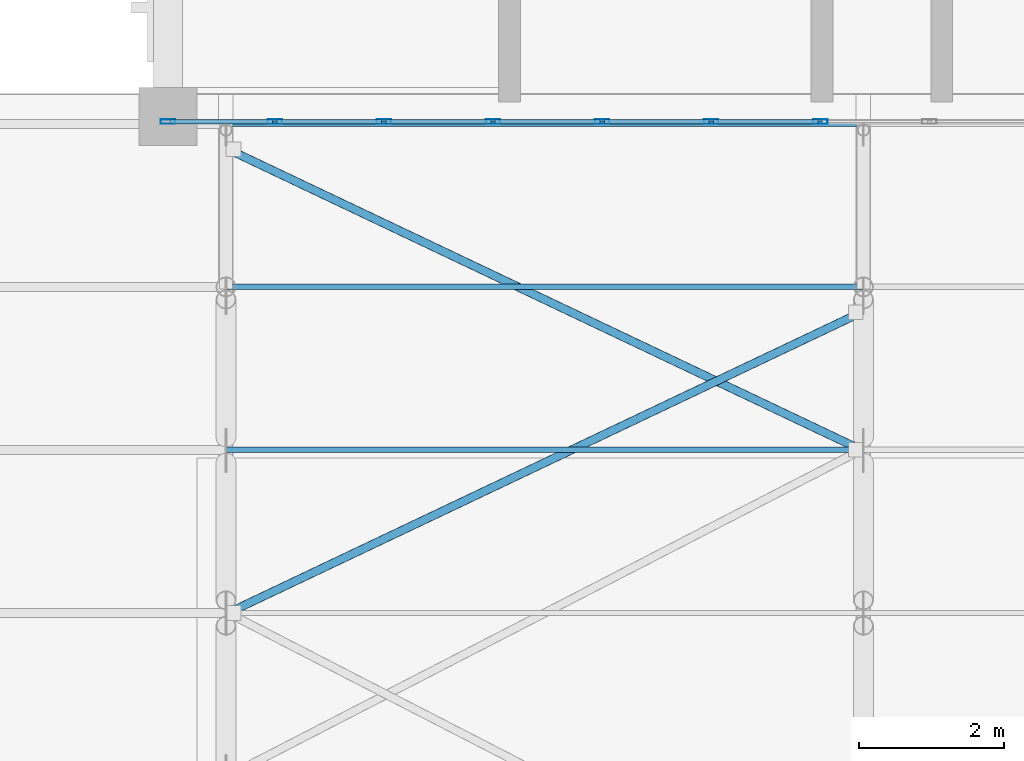
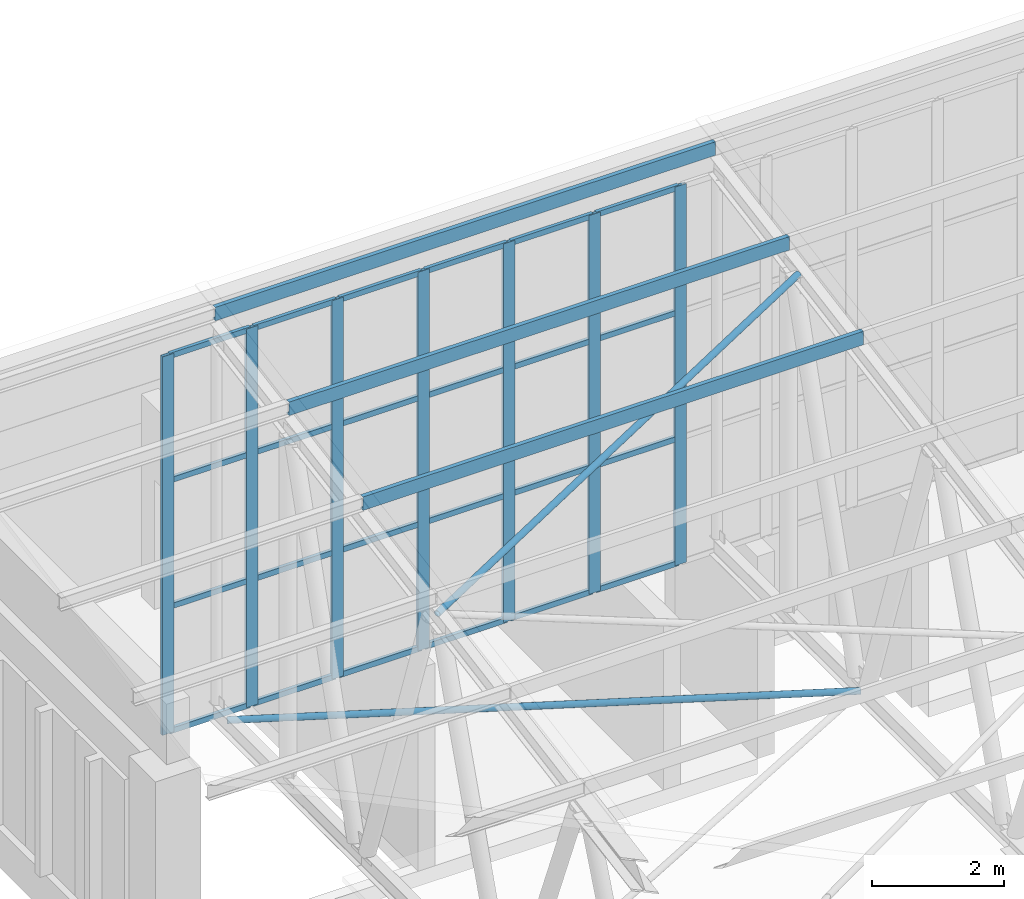
# One storey, part 51 of 185: 36 members, 1 element without a shape of its own.
"""IFC4 building model written with IfcOpenShell, lengths in metres."""

from ifc_helpers import new_model, si_unit, direction, frame, origin, origin_2d, place, context, subcontext, project, spatial, polyline, hollow_rectangle, hollow_circle, outline, extrude, material, layer, layer_set, material_profile, profile_set, type_object, element, aggregate, save


model = new_model("IFC4")

# Units and contexts
model_context = context("Model", 3, precision=1e-05, world=origin(), true_north=direction((0.0, 1.0)))
body_context = subcontext(model_context, "Body", "Model", "MODEL_VIEW")
ifc_project = project(units=[si_unit("LENGTHUNIT", "METRE"), si_unit("AREAUNIT", "SQUARE_METRE"), si_unit("VOLUMEUNIT", "CUBIC_METRE"), si_unit("PLANEANGLEUNIT", "RADIAN"), si_unit("MASSUNIT", "GRAM", prefix="KILO")], contexts=[model_context])

# Site, building, storey
site_placement = place(None, origin())
site = spatial("IfcSite", under=ifc_project, at=site_placement, CompositionType="ELEMENT")
building_placement = place(site_placement, origin())
building = spatial("IfcBuilding", under=site, at=building_placement, Name="Opaline Strait Convention Centre", CompositionType="ELEMENT")
storey_placement = place(building_placement, frame((0.0, 0.0, 6.0)))
storey = spatial("IfcBuildingStorey", under=building, at=storey_placement, Name="L01", CompositionType="ELEMENT", Elevation=6.0)

# Curtain wall, members
ifc_material_1 = material(Name="Aluminium 6063-T5", Category="aluminium")
ifc_layer = layer(ifc_material_1, 0.199951171875)
ifc_layer_set = layer_set([ifc_layer], Name="Aluminium 6063-T5")
curtain_wall_type = type_object("IfcCurtainWallType", Name="Unitised curtain wall 1640 module", PredefinedType="NOTDEFINED", material=ifc_layer_set)
curtain_wall_placement = place(storey_placement, origin())
curtain_wall = element("IfcCurtainWall", 1, at=curtain_wall_placement, inside=storey, type_object=curtain_wall_type, Name="Ballroom north clerestory curtain wall", PredefinedType="NOTDEFINED")
ifc_material_2 = material(Name="Aluminium alloy 6063", Category="aluminium")
ifc_material_profile_1 = material_profile(ifc_material_2, hollow_rectangle(XDim=0.06005859375, YDim=0.199951171875, WallThickness=0.00390625, at=origin_2d()), Name="MULLION 60x200x4")
ifc_profile_set_1 = profile_set([ifc_material_profile_1], Name="Aluminium alloy 6063")
member_type_1 = type_object("IfcMemberType", Name="Curtain wall mullion 60 x 200", PredefinedType="MULLION", material=ifc_profile_set_1)
member_1_placement = place(storey_placement, frame((288.0, 62.929931640625, 4.324951171875), z_axis=(0.0, 0.0, 1.0), x_axis=(0.0, 1.0, 0.0)))
member_1 = element("IfcMember", 2, at=member_1_placement, type_object=member_type_1, Name="BG2 mullion 1", PredefinedType="MULLION", context=body_context, shape_type="SweptSolid", body=[
    extrude(hollow_rectangle(XDim=0.06005859375, YDim=0.199951171875, WallThickness=0.00390625, at=origin_2d()), origin(), (0.0, 0.0, 1.0), 7.01513671875),
])
member_2_placement = place(storey_placement, frame((289.471435546875, 62.929931640625, 4.324951171875), z_axis=(0.0, 0.0, 1.0), x_axis=(0.0, 1.0, 0.0)))
member_2 = element("IfcMember", 3, at=member_2_placement, type_object=member_type_1, Name="BG2 mullion 2", PredefinedType="MULLION", context=body_context, shape_type="SweptSolid", body=[
    extrude(hollow_rectangle(XDim=0.06005859375, YDim=0.199951171875, WallThickness=0.00390625, at=origin_2d()), origin(), (0.0, 0.0, 1.0), 7.01513671875),
])
member_3_placement = place(storey_placement, frame((290.972900390625, 62.929931640625, 4.324951171875), z_axis=(0.0, 0.0, 1.0), x_axis=(0.0, 1.0, 0.0)))
member_3 = element("IfcMember", 4, at=member_3_placement, type_object=member_type_1, Name="BG2 mullion 3", PredefinedType="MULLION", context=body_context, shape_type="SweptSolid", body=[
    extrude(hollow_rectangle(XDim=0.06005859375, YDim=0.199951171875, WallThickness=0.00390625, at=origin_2d()), origin(), (0.0, 0.0, 1.0), 7.01513671875),
])
member_4_placement = place(storey_placement, frame((292.474365234375, 62.929931640625, 4.324951171875), z_axis=(0.0, 0.0, 1.0), x_axis=(0.0, 1.0, 0.0)))
member_4 = element("IfcMember", 5, at=member_4_placement, type_object=member_type_1, Name="BG2 mullion 4", PredefinedType="MULLION", context=body_context, shape_type="SweptSolid", body=[
    extrude(hollow_rectangle(XDim=0.06005859375, YDim=0.199951171875, WallThickness=0.00390625, at=origin_2d()), origin(), (0.0, 0.0, 1.0), 7.01513671875),
])
member_5_placement = place(storey_placement, frame((293.9755859375, 62.929931640625, 4.324951171875), z_axis=(0.0, 0.0, 1.0), x_axis=(0.0, 1.0, 0.0)))
member_5 = element("IfcMember", 6, at=member_5_placement, type_object=member_type_1, Name="BG2 mullion 5", PredefinedType="MULLION", context=body_context, shape_type="SweptSolid", body=[
    extrude(hollow_rectangle(XDim=0.06005859375, YDim=0.199951171875, WallThickness=0.00390625, at=origin_2d()), origin(), (0.0, 0.0, 1.0), 7.01513671875),
])
member_6_placement = place(storey_placement, frame((295.47705078125, 62.929931640625, 4.324951171875), z_axis=(0.0, 0.0, 1.0), x_axis=(0.0, 1.0, 0.0)))
member_6 = element("IfcMember", 7, at=member_6_placement, type_object=member_type_1, Name="BG2 mullion 6", PredefinedType="MULLION", context=body_context, shape_type="SweptSolid", body=[
    extrude(hollow_rectangle(XDim=0.06005859375, YDim=0.199951171875, WallThickness=0.00390625, at=origin_2d()), origin(), (0.0, 0.0, 1.0), 7.01513671875),
])
member_7_placement = place(storey_placement, frame((296.978515625, 62.929931640625, 4.324951171875), z_axis=(0.0, 0.0, 1.0), x_axis=(0.0, 1.0, 0.0)))
member_7 = element("IfcMember", 8, at=member_7_placement, type_object=member_type_1, Name="BG2 mullion 7", PredefinedType="MULLION", context=body_context, shape_type="SweptSolid", body=[
    extrude(hollow_rectangle(XDim=0.06005859375, YDim=0.199951171875, WallThickness=0.00390625, at=origin_2d()), origin(), (0.0, 0.0, 1.0), 7.01513671875),
])
ifc_material_profile_2 = material_profile(ifc_material_2, hollow_rectangle(XDim=0.06005859375, YDim=0.10009765625, WallThickness=0.0029296875, at=origin_2d()), Name="TRANSOM 60x100x3")
ifc_profile_set_2 = profile_set([ifc_material_profile_2], Name="Aluminium alloy 6063")
member_type_2 = type_object("IfcMemberType", Name="Curtain wall transom 60 x 100", PredefinedType="USERDEFINED", material=ifc_profile_set_2)
member_8_placement = place(storey_placement, frame((288.030029296875, 62.929931640625, 4.35498046875), z_axis=(1.0, 0.0, 0.0), x_axis=(0.0, 1.0, 0.0)))
member_8 = element("IfcMember", 9, at=member_8_placement, type_object=member_type_2, Name="BG2 transom 1.1", ObjectType="TRANSOM", PredefinedType="USERDEFINED", context=body_context, shape_type="SweptSolid", body=[
    extrude(hollow_rectangle(XDim=0.06005859375, YDim=0.10009765625, WallThickness=0.0029296875, at=origin_2d()), origin(), (0.0, 0.0, 1.0), 1.411376953125),
])
member_9_placement = place(storey_placement, frame((288.030029296875, 62.929931640625, 6.663330078125), z_axis=(1.0, 0.0, 0.0), x_axis=(0.0, 1.0, 0.0)))
member_9 = element("IfcMember", 10, at=member_9_placement, type_object=member_type_2, Name="BG2 transom 1.2", ObjectType="TRANSOM", PredefinedType="USERDEFINED", context=body_context, shape_type="SweptSolid", body=[
    extrude(hollow_rectangle(XDim=0.06005859375, YDim=0.10009765625, WallThickness=0.0029296875, at=origin_2d()), origin(), (0.0, 0.0, 1.0), 1.411376953125),
])
member_10_placement = place(storey_placement, frame((288.030029296875, 62.929931640625, 9.001708984375), z_axis=(1.0, 0.0, 0.0), x_axis=(0.0, 1.0, 0.0)))
member_10 = element("IfcMember", 11, at=member_10_placement, type_object=member_type_2, Name="BG2 transom 1.3", ObjectType="TRANSOM", PredefinedType="USERDEFINED", context=body_context, shape_type="SweptSolid", body=[
    extrude(hollow_rectangle(XDim=0.06005859375, YDim=0.10009765625, WallThickness=0.0029296875, at=origin_2d()), origin(), (0.0, 0.0, 1.0), 1.411376953125),
])
member_11_placement = place(storey_placement, frame((288.030029296875, 62.929931640625, 11.31005859375), z_axis=(1.0, 0.0, 0.0), x_axis=(0.0, 1.0, 0.0)))
member_11 = element("IfcMember", 12, at=member_11_placement, type_object=member_type_2, Name="BG2 transom 1.4", ObjectType="TRANSOM", PredefinedType="USERDEFINED", context=body_context, shape_type="SweptSolid", body=[
    extrude(hollow_rectangle(XDim=0.06005859375, YDim=0.10009765625, WallThickness=0.0029296875, at=origin_2d()), origin(), (0.0, 0.0, 1.0), 1.411376953125),
])
member_12_placement = place(storey_placement, frame((289.50146484375, 62.929931640625, 4.35498046875), z_axis=(1.0, 0.0, 0.0), x_axis=(0.0, 1.0, 0.0)))
member_12 = element("IfcMember", 13, at=member_12_placement, type_object=member_type_2, Name="BG2 transom 2.1", ObjectType="TRANSOM", PredefinedType="USERDEFINED", context=body_context, shape_type="SweptSolid", body=[
    extrude(hollow_rectangle(XDim=0.06005859375, YDim=0.10009765625, WallThickness=0.0029296875, at=origin_2d()), origin(), (0.0, 0.0, 1.0), 1.44140625),
])
member_13_placement = place(storey_placement, frame((289.50146484375, 62.929931640625, 6.663330078125), z_axis=(1.0, 0.0, 0.0), x_axis=(0.0, 1.0, 0.0)))
member_13 = element("IfcMember", 14, at=member_13_placement, type_object=member_type_2, Name="BG2 transom 2.2", ObjectType="TRANSOM", PredefinedType="USERDEFINED", context=body_context, shape_type="SweptSolid", body=[
    extrude(hollow_rectangle(XDim=0.06005859375, YDim=0.10009765625, WallThickness=0.0029296875, at=origin_2d()), origin(), (0.0, 0.0, 1.0), 1.44140625),
])
member_14_placement = place(storey_placement, frame((289.50146484375, 62.929931640625, 9.001708984375), z_axis=(1.0, 0.0, 0.0), x_axis=(0.0, 1.0, 0.0)))
member_14 = element("IfcMember", 15, at=member_14_placement, type_object=member_type_2, Name="BG2 transom 2.3", ObjectType="TRANSOM", PredefinedType="USERDEFINED", context=body_context, shape_type="SweptSolid", body=[
    extrude(hollow_rectangle(XDim=0.06005859375, YDim=0.10009765625, WallThickness=0.0029296875, at=origin_2d()), origin(), (0.0, 0.0, 1.0), 1.44140625),
])
member_15_placement = place(storey_placement, frame((289.50146484375, 62.929931640625, 11.31005859375), z_axis=(1.0, 0.0, 0.0), x_axis=(0.0, 1.0, 0.0)))
member_15 = element("IfcMember", 16, at=member_15_placement, type_object=member_type_2, Name="BG2 transom 2.4", ObjectType="TRANSOM", PredefinedType="USERDEFINED", context=body_context, shape_type="SweptSolid", body=[
    extrude(hollow_rectangle(XDim=0.06005859375, YDim=0.10009765625, WallThickness=0.0029296875, at=origin_2d()), origin(), (0.0, 0.0, 1.0), 1.44140625),
])
member_16_placement = place(storey_placement, frame((291.0029296875, 62.929931640625, 4.35498046875), z_axis=(1.0, 0.0, 0.0), x_axis=(0.0, 1.0, 0.0)))
member_16 = element("IfcMember", 17, at=member_16_placement, type_object=member_type_2, Name="BG2 transom 3.1", ObjectType="TRANSOM", PredefinedType="USERDEFINED", context=body_context, shape_type="SweptSolid", body=[
    extrude(hollow_rectangle(XDim=0.06005859375, YDim=0.10009765625, WallThickness=0.0029296875, at=origin_2d()), origin(), (0.0, 0.0, 1.0), 1.44140625),
])
member_17_placement = place(storey_placement, frame((291.0029296875, 62.929931640625, 6.663330078125), z_axis=(1.0, 0.0, 0.0), x_axis=(0.0, 1.0, 0.0)))
member_17 = element("IfcMember", 18, at=member_17_placement, type_object=member_type_2, Name="BG2 transom 3.2", ObjectType="TRANSOM", PredefinedType="USERDEFINED", context=body_context, shape_type="SweptSolid", body=[
    extrude(hollow_rectangle(XDim=0.06005859375, YDim=0.10009765625, WallThickness=0.0029296875, at=origin_2d()), origin(), (0.0, 0.0, 1.0), 1.44140625),
])
member_18_placement = place(storey_placement, frame((291.0029296875, 62.929931640625, 9.001708984375), z_axis=(1.0, 0.0, 0.0), x_axis=(0.0, 1.0, 0.0)))
member_18 = element("IfcMember", 19, at=member_18_placement, type_object=member_type_2, Name="BG2 transom 3.3", ObjectType="TRANSOM", PredefinedType="USERDEFINED", context=body_context, shape_type="SweptSolid", body=[
    extrude(hollow_rectangle(XDim=0.06005859375, YDim=0.10009765625, WallThickness=0.0029296875, at=origin_2d()), origin(), (0.0, 0.0, 1.0), 1.44140625),
])
member_19_placement = place(storey_placement, frame((291.0029296875, 62.929931640625, 11.31005859375), z_axis=(1.0, 0.0, 0.0), x_axis=(0.0, 1.0, 0.0)))
member_19 = element("IfcMember", 20, at=member_19_placement, type_object=member_type_2, Name="BG2 transom 3.4", ObjectType="TRANSOM", PredefinedType="USERDEFINED", context=body_context, shape_type="SweptSolid", body=[
    extrude(hollow_rectangle(XDim=0.06005859375, YDim=0.10009765625, WallThickness=0.0029296875, at=origin_2d()), origin(), (0.0, 0.0, 1.0), 1.44140625),
])
member_20_placement = place(storey_placement, frame((292.504150390625, 62.929931640625, 4.35498046875), z_axis=(1.0, 0.0, 0.0), x_axis=(0.0, 1.0, 0.0)))
member_20 = element("IfcMember", 21, at=member_20_placement, type_object=member_type_2, Name="BG2 transom 4.1", ObjectType="TRANSOM", PredefinedType="USERDEFINED", context=body_context, shape_type="SweptSolid", body=[
    extrude(hollow_rectangle(XDim=0.06005859375, YDim=0.10009765625, WallThickness=0.0029296875, at=origin_2d()), origin(), (0.0, 0.0, 1.0), 1.441650390625),
])
member_21_placement = place(storey_placement, frame((292.504150390625, 62.929931640625, 6.663330078125), z_axis=(1.0, 0.0, 0.0), x_axis=(0.0, 1.0, 0.0)))
member_21 = element("IfcMember", 22, at=member_21_placement, type_object=member_type_2, Name="BG2 transom 4.2", ObjectType="TRANSOM", PredefinedType="USERDEFINED", context=body_context, shape_type="SweptSolid", body=[
    extrude(hollow_rectangle(XDim=0.06005859375, YDim=0.10009765625, WallThickness=0.0029296875, at=origin_2d()), origin(), (0.0, 0.0, 1.0), 1.441650390625),
])
member_22_placement = place(storey_placement, frame((292.504150390625, 62.929931640625, 9.001708984375), z_axis=(1.0, 0.0, 0.0), x_axis=(0.0, 1.0, 0.0)))
member_22 = element("IfcMember", 23, at=member_22_placement, type_object=member_type_2, Name="BG2 transom 4.3", ObjectType="TRANSOM", PredefinedType="USERDEFINED", context=body_context, shape_type="SweptSolid", body=[
    extrude(hollow_rectangle(XDim=0.06005859375, YDim=0.10009765625, WallThickness=0.0029296875, at=origin_2d()), origin(), (0.0, 0.0, 1.0), 1.441650390625),
])
member_23_placement = place(storey_placement, frame((292.504150390625, 62.929931640625, 11.31005859375), z_axis=(1.0, 0.0, 0.0), x_axis=(0.0, 1.0, 0.0)))
member_23 = element("IfcMember", 24, at=member_23_placement, type_object=member_type_2, Name="BG2 transom 4.4", ObjectType="TRANSOM", PredefinedType="USERDEFINED", context=body_context, shape_type="SweptSolid", body=[
    extrude(hollow_rectangle(XDim=0.06005859375, YDim=0.10009765625, WallThickness=0.0029296875, at=origin_2d()), origin(), (0.0, 0.0, 1.0), 1.441650390625),
])
member_24_placement = place(storey_placement, frame((294.005615234375, 62.929931640625, 4.35498046875), z_axis=(1.0, 0.0, 0.0), x_axis=(0.0, 1.0, 0.0)))
member_24 = element("IfcMember", 25, at=member_24_placement, type_object=member_type_2, Name="BG2 transom 5.1", ObjectType="TRANSOM", PredefinedType="USERDEFINED", context=body_context, shape_type="SweptSolid", body=[
    extrude(hollow_rectangle(XDim=0.06005859375, YDim=0.10009765625, WallThickness=0.0029296875, at=origin_2d()), origin(), (0.0, 0.0, 1.0), 1.44140625),
])
member_25_placement = place(storey_placement, frame((294.005615234375, 62.929931640625, 6.663330078125), z_axis=(1.0, 0.0, 0.0), x_axis=(0.0, 1.0, 0.0)))
member_25 = element("IfcMember", 26, at=member_25_placement, type_object=member_type_2, Name="BG2 transom 5.2", ObjectType="TRANSOM", PredefinedType="USERDEFINED", context=body_context, shape_type="SweptSolid", body=[
    extrude(hollow_rectangle(XDim=0.06005859375, YDim=0.10009765625, WallThickness=0.0029296875, at=origin_2d()), origin(), (0.0, 0.0, 1.0), 1.44140625),
])
member_26_placement = place(storey_placement, frame((294.005615234375, 62.929931640625, 9.001708984375), z_axis=(1.0, 0.0, 0.0), x_axis=(0.0, 1.0, 0.0)))
member_26 = element("IfcMember", 27, at=member_26_placement, type_object=member_type_2, Name="BG2 transom 5.3", ObjectType="TRANSOM", PredefinedType="USERDEFINED", context=body_context, shape_type="SweptSolid", body=[
    extrude(hollow_rectangle(XDim=0.06005859375, YDim=0.10009765625, WallThickness=0.0029296875, at=origin_2d()), origin(), (0.0, 0.0, 1.0), 1.44140625),
])
member_27_placement = place(storey_placement, frame((294.005615234375, 62.929931640625, 11.31005859375), z_axis=(1.0, 0.0, 0.0), x_axis=(0.0, 1.0, 0.0)))
member_27 = element("IfcMember", 28, at=member_27_placement, type_object=member_type_2, Name="BG2 transom 5.4", ObjectType="TRANSOM", PredefinedType="USERDEFINED", context=body_context, shape_type="SweptSolid", body=[
    extrude(hollow_rectangle(XDim=0.06005859375, YDim=0.10009765625, WallThickness=0.0029296875, at=origin_2d()), origin(), (0.0, 0.0, 1.0), 1.44140625),
])
member_28_placement = place(storey_placement, frame((295.507080078125, 62.929931640625, 4.35498046875), z_axis=(1.0, 0.0, 0.0), x_axis=(0.0, 1.0, 0.0)))
member_28 = element("IfcMember", 29, at=member_28_placement, type_object=member_type_2, Name="BG2 transom 6.1", ObjectType="TRANSOM", PredefinedType="USERDEFINED", context=body_context, shape_type="SweptSolid", body=[
    extrude(hollow_rectangle(XDim=0.06005859375, YDim=0.10009765625, WallThickness=0.0029296875, at=origin_2d()), origin(), (0.0, 0.0, 1.0), 1.44140625),
])
member_29_placement = place(storey_placement, frame((295.507080078125, 62.929931640625, 6.663330078125), z_axis=(1.0, 0.0, 0.0), x_axis=(0.0, 1.0, 0.0)))
member_29 = element("IfcMember", 30, at=member_29_placement, type_object=member_type_2, Name="BG2 transom 6.2", ObjectType="TRANSOM", PredefinedType="USERDEFINED", context=body_context, shape_type="SweptSolid", body=[
    extrude(hollow_rectangle(XDim=0.06005859375, YDim=0.10009765625, WallThickness=0.0029296875, at=origin_2d()), origin(), (0.0, 0.0, 1.0), 1.44140625),
])
member_30_placement = place(storey_placement, frame((295.507080078125, 62.929931640625, 9.001708984375), z_axis=(1.0, 0.0, 0.0), x_axis=(0.0, 1.0, 0.0)))
member_30 = element("IfcMember", 31, at=member_30_placement, type_object=member_type_2, Name="BG2 transom 6.3", ObjectType="TRANSOM", PredefinedType="USERDEFINED", context=body_context, shape_type="SweptSolid", body=[
    extrude(hollow_rectangle(XDim=0.06005859375, YDim=0.10009765625, WallThickness=0.0029296875, at=origin_2d()), origin(), (0.0, 0.0, 1.0), 1.44140625),
])
member_31_placement = place(storey_placement, frame((295.507080078125, 62.929931640625, 11.31005859375), z_axis=(1.0, 0.0, 0.0), x_axis=(0.0, 1.0, 0.0)))
member_31 = element("IfcMember", 32, at=member_31_placement, type_object=member_type_2, Name="BG2 transom 6.4", ObjectType="TRANSOM", PredefinedType="USERDEFINED", context=body_context, shape_type="SweptSolid", body=[
    extrude(hollow_rectangle(XDim=0.06005859375, YDim=0.10009765625, WallThickness=0.0029296875, at=origin_2d()), origin(), (0.0, 0.0, 1.0), 1.44140625),
])
aggregate(curtain_wall, [member_1, member_2, member_3, member_4, member_5, member_6, member_7, member_8, member_9, member_10, member_11, member_12, member_13, member_14, member_15, member_16, member_17, member_18, member_19, member_20, member_21, member_22, member_23, member_24, member_25, member_26, member_27, member_28, member_29, member_30, member_31])

# Members
ifc_material_3 = material(Name="Steel Q355B", Category="steel")
ifc_material_profile_3 = material_profile(ifc_material_3, hollow_circle(Radius=0.056884765625, WallThickness=0.006103515625, at=origin_2d()), Name="CHS 114x6")
ifc_profile_set_3 = profile_set([ifc_material_profile_3], Name="Steel Q355B")
member_type_3 = type_object("IfcMemberType", Name="Roof plan brace CHS 114x6", PredefinedType="BRACE", material=ifc_profile_set_3)
member_32_placement = place(storey_placement, frame((288.827880859375, 56.168701171875, 10.34326171875), z_axis=(0.900809171332, 0.427619412509, 0.075395456693), x_axis=(-0.428840014749, 0.903380452384, 0.0)))
element("IfcMember", 33, at=member_32_placement, inside=storey, type_object=member_type_3, Name="BR1 top plane brace end bay 1 panel 7", PredefinedType="BRACE", context=body_context, shape_type="SweptSolid", body=[
    extrude(hollow_circle(Radius=0.056884765625, WallThickness=0.006103515625, at=origin_2d()), origin(), (0.0, 0.0, 1.0), 9.675537109375),
])
member_33_placement = place(storey_placement, frame((297.543701171875, 58.41259765625, 4.5), z_axis=(-0.903380452384, 0.428840014749, 0.0), x_axis=(-0.428840014749, -0.903380452384, 0.0)))
element("IfcMember", 34, at=member_33_placement, inside=storey, type_object=member_type_3, Name="BR1 bottom plane brace end bay 1 panel 8", PredefinedType="BRACE", context=body_context, shape_type="SweptSolid", body=[
    extrude(hollow_circle(Radius=0.056884765625, WallThickness=0.006103515625, at=origin_2d()), origin(), (0.0, 0.0, 1.0), 9.64794921875),
])
ifc_material_profile_4 = material_profile(ifc_material_3, outline(polyline([(-0.03759765625, -0.125), (0.03759765625, -0.125), (0.03759765625, -0.10498046875), (0.034423828125, -0.10498046875), (0.034423828125, -0.1220703125), (-0.034423828125, -0.1220703125), (-0.034423828125, 0.1220703125), (0.034423828125, 0.1220703125), (0.034423828125, 0.10498046875), (0.03759765625, 0.10498046875), (0.03759765625, 0.125), (-0.03759765625, 0.125), (-0.03759765625, -0.125)])), Name="C 250x75x20x3")
ifc_profile_set_4 = profile_set([ifc_material_profile_4], Name="Steel Q355B")
member_type_4 = type_object("IfcMemberType", Name="Roof purlin C 250x75x20x3", PredefinedType="RAFTER", material=ifc_profile_set_4)
for number, where, z_axis, x_axis, name in (
    (35, (288.800048828125, 58.41259765625, 11.049560546875), (1.0, 0.0, 0.0), (0.0, 1.0, 0.0), "BU1 purlin line 16 bay 2"),
    (36, (288.800048828125, 60.65625, 11.445068359375), (1.0, 0.0, 0.0), (0.0, 1.0, 0.0), "BU1 purlin line 17 bay 2"),
    (37, (288.800048828125, 62.89990234375, 11.8408203125), (1.0, 0.0, 0.0), (0.0, 1.0, 0.0), "BU1 purlin line 18 bay 2"),
):
    element("IfcMember", number, at=place(storey_placement, frame(where, z_axis=z_axis, x_axis=x_axis)), inside=storey, type_object=member_type_4, Name=name, PredefinedType="RAFTER", context=body_context, shape_type="SweptSolid", body=[
        extrude(outline(polyline([(-0.03759765625, -0.125), (0.03759765625, -0.125), (0.03759765625, -0.10498046875), (0.034423828125, -0.10498046875), (0.034423828125, -0.1220703125), (-0.034423828125, -0.1220703125), (-0.034423828125, 0.1220703125), (0.034423828125, 0.1220703125), (0.034423828125, 0.10498046875), (0.03759765625, 0.10498046875), (0.03759765625, 0.125), (-0.03759765625, 0.125), (-0.03759765625, -0.125)])), origin(), (0.0, 0.0, 1.0), 8.771240234375),
    ])

save(model, "model.ifc")
